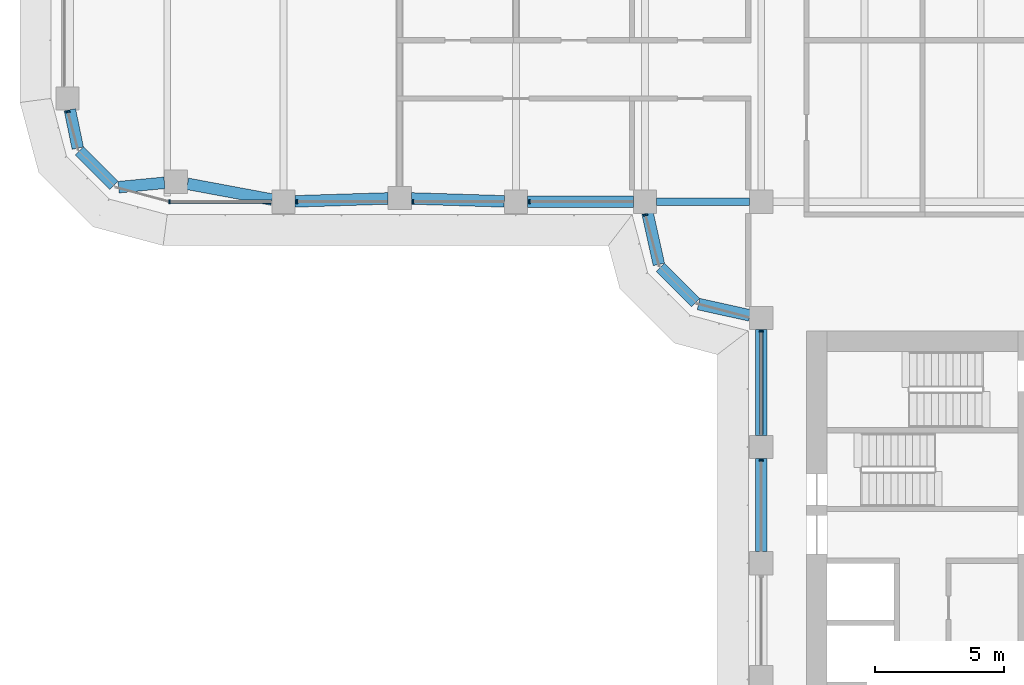
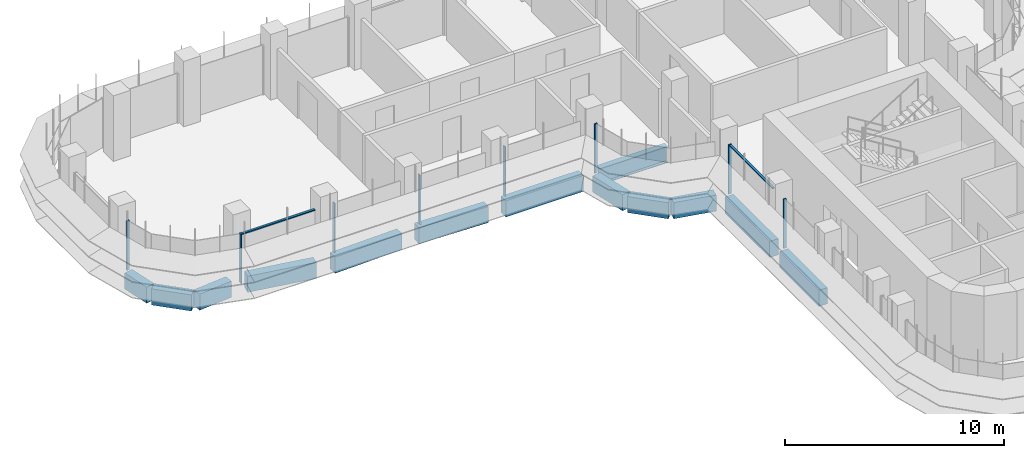
# One storey, part 3 of 22: 13 beams, 10 members, 4 elements without a shape of their own.
"""IFC4 building model written with IfcOpenShell, lengths in metres."""

from ifc_helpers import new_model, si_unit, direction, frame, origin, origin_2d, place, context, subcontext, project, spatial, polyline, rectangle, i_section, outline, extrude, source, transform, mapped, material, material_profile, profile_set, type_object, element, aggregate, save


model = new_model("IFC4")

# Units and contexts
model_context = context("Model", 3, precision=1e-05, world=origin(), true_north=direction((0.0, 1.0)))
body_context = subcontext(model_context, "Body", "Model", "MODEL_VIEW")
ifc_project = project(units=[si_unit("LENGTHUNIT", "METRE"), si_unit("AREAUNIT", "SQUARE_METRE"), si_unit("VOLUMEUNIT", "CUBIC_METRE"), si_unit("PLANEANGLEUNIT", "RADIAN"), si_unit("MASSUNIT", "GRAM", prefix="KILO")], contexts=[model_context])

# Site, building, storey
site_placement = place(None, origin())
site = spatial("IfcSite", under=ifc_project, at=site_placement, CompositionType="ELEMENT")
building_placement = place(site_placement, origin())
building = spatial("IfcBuilding", under=site, at=building_placement, Name="Zarbagh Exchange Tower", CompositionType="ELEMENT")
storey_placement = place(building_placement, frame((0.0, 0.0, 109.39990234375)))
storey = spatial("IfcBuildingStorey", under=building, at=storey_placement, Name="L25", CompositionType="ELEMENT", Elevation=109.39990234375)

# Beams
ifc_material_1 = material(Name="Steel ASTM A992 Gr 50", Category="steel")
ifc_material_profile_1 = material_profile(ifc_material_1, i_section(OverallWidth=0.3046875, OverallDepth=0.911865234375, WebThickness=0.015869140625, FlangeThickness=0.02392578125, at=origin_2d()), Name="W36X150")
ifc_profile_set_1 = profile_set([ifc_material_profile_1], Name="Steel ASTM A992 Gr 50")
beam_type_1 = type_object("IfcBeamType", Name="Floor girder W36X150", PredefinedType="BEAM", material=ifc_profile_set_1)
beam_1_placement = place(storey_placement, frame((-10.300048828125, -6.25, -0.605712890625), z_axis=(1.0, 0.0, 0.0), x_axis=(0.0, 1.0, 0.0)))
element("IfcBeam", 1, at=beam_1_placement, inside=storey, type_object=beam_type_1, Name="Steel girder", PredefinedType="BEAM", context=body_context, shape_type="SweptSolid", body=[
    extrude(i_section(OverallWidth=0.3046875, OverallDepth=0.911865234375, WebThickness=0.015869140625, FlangeThickness=0.02392578125, at=origin_2d()), origin(), (0.0, 0.0, 1.0), 3.60009765625),
])
ifc_material_2 = material(Name="Concrete C60/75", Category="concrete")
ifc_material_profile_2 = material_profile(ifc_material_2, rectangle(XDim=0.449951171875, YDim=0.89990234375, at=origin_2d()), Name="RC spandrel beam 450 x 900 C60/75")
ifc_profile_set_2 = profile_set([ifc_material_profile_2], Name="Concrete C60/75")
beam_type_2 = type_object("IfcBeamType", Name="RC spandrel beam 450 x 900 C60/75", PredefinedType="SPANDREL", material=ifc_profile_set_2)
beam_2_placement = place(storey_placement, frame((-6.25, -19.800048828125, -0.599853515625), z_axis=(0.0, 1.0, 0.0), x_axis=(-1.0, 0.0, 0.0)))
element("IfcBeam", 2, at=beam_2_placement, inside=storey, type_object=beam_type_2, Name="RC spandrel beam", PredefinedType="SPANDREL", context=body_context, shape_type="SweptSolid", body=[
    extrude(rectangle(XDim=0.449951171875, YDim=0.89990234375, at=origin_2d()), origin(), (0.0, 0.0, 1.0), 3.60009765625),
])
beam_3_placement = place(storey_placement, frame((-6.25, -15.300048828125, -0.599853515625), z_axis=(0.0, 1.0, 0.0), x_axis=(-1.0, 0.0, 0.0)))
element("IfcBeam", 3, at=beam_3_placement, inside=storey, type_object=beam_type_2, Name="RC spandrel beam", PredefinedType="SPANDREL", context=body_context, shape_type="SweptSolid", body=[
    extrude(rectangle(XDim=0.449951171875, YDim=0.89990234375, at=origin_2d()), origin(), (0.0, 0.0, 1.0), 4.10009765625),
])
beam_4_placement = place(storey_placement, frame((-6.689453125, -10.65283203125, -0.599853515625), z_axis=(-0.976367325525, 0.216117666208, 0.0), x_axis=(-0.216117666208, -0.976367325525, 0.0)))
element("IfcBeam", 4, at=beam_4_placement, inside=storey, type_object=beam_type_2, Name="RC spandrel beam", PredefinedType="SPANDREL", context=body_context, shape_type="SweptSolid", body=[
    extrude(rectangle(XDim=0.449951171875, YDim=0.89990234375, at=origin_2d()), origin(), (0.0, 0.0, 1.0), 2.03564453125),
])
beam_5_placement = place(storey_placement, frame((-8.78759765625, -10.15234375, -0.599853515625), z_axis=(-0.707106781187, 0.707106781187, 0.0), x_axis=(-0.707106781187, -0.707106781187, 0.0)))
element("IfcBeam", 5, at=beam_5_placement, inside=storey, type_object=beam_type_2, Name="RC spandrel beam", PredefinedType="SPANDREL", context=body_context, shape_type="SweptSolid", body=[
    extrude(rectangle(XDim=0.449951171875, YDim=0.89990234375, at=origin_2d()), origin(), (0.0, 0.0, 1.0), 1.929931640625),
])
beam_6_placement = place(storey_placement, frame((-10.212890625, -8.677001953125, -0.599853515625), z_axis=(-0.216117666208, 0.976367325525, 0.0), x_axis=(-0.976367325525, -0.216117666208, 0.0)))
element("IfcBeam", 6, at=beam_6_placement, inside=storey, type_object=beam_type_2, Name="RC spandrel beam", PredefinedType="SPANDREL", context=body_context, shape_type="SweptSolid", body=[
    extrude(rectangle(XDim=0.449951171875, YDim=0.89990234375, at=origin_2d()), origin(), (0.0, 0.0, 1.0), 2.03564453125),
])
beam_7_placement = place(storey_placement, frame((-11.199951171875, -6.25, -0.599853515625), z_axis=(-1.0, 0.0, 0.0), x_axis=(0.0, -1.0, 0.0)))
element("IfcBeam", 7, at=beam_7_placement, inside=storey, type_object=beam_type_2, Name="RC spandrel beam", PredefinedType="SPANDREL", context=body_context, shape_type="SweptSolid", body=[
    extrude(rectangle(XDim=0.449951171875, YDim=0.89990234375, at=origin_2d()), origin(), (0.0, 0.0, 1.0), 4.10009765625),
])
for number, where, z_axis, x_axis, name in (
    (8, (-16.19970703125, -6.236083984375, -0.599853515625), (-0.999516035224, 0.031107801747, 0.0), (-0.031107801747, -0.999516035224, 0.0), "RC spandrel beam"),
    (9, (-20.69970703125, -6.1240234375, -0.599853515625), (-0.999516035224, -0.031107801747, 0.0), (0.031107801747, -0.999516035224, 0.0), "RC spandrel beam"),
):
    element("IfcBeam", number, at=place(storey_placement, frame(where, z_axis=z_axis, x_axis=x_axis)), inside=storey, type_object=beam_type_2, Name=name, PredefinedType="SPANDREL", context=body_context, shape_type="SweptSolid", body=[
        extrude(rectangle(XDim=0.449951171875, YDim=0.89990234375, at=origin_2d()), origin(), (0.0, 0.0, 1.0), 3.602294921875),
    ])
beam_8_placement = place(storey_placement, frame((-25.1923828125, -6.16748046875, -0.599853515625), z_axis=(-0.98308156541, 0.183168326277, 0.0), x_axis=(-0.183168326277, -0.98308156541, 0.0)))
element("IfcBeam", 10, at=beam_8_placement, inside=storey, type_object=beam_type_2, Name="RC spandrel beam", PredefinedType="SPANDREL", context=body_context, shape_type="SweptSolid", body=[
    extrude(rectangle(XDim=0.449951171875, YDim=0.89990234375, at=origin_2d()), origin(), (0.0, 0.0, 1.0), 3.32958984375),
])
beam_9_placement = place(storey_placement, frame((-29.35595703125, -5.51806640625, -0.599853515625), z_axis=(-0.995433267802, -0.095459988228, 0.0), x_axis=(0.095459988228, -0.995433267802, 0.0)))
element("IfcBeam", 11, at=beam_9_placement, inside=storey, type_object=beam_type_2, Name="RC spandrel beam", PredefinedType="SPANDREL", context=body_context, shape_type="SweptSolid", body=[
    extrude(rectangle(XDim=0.449951171875, YDim=0.89990234375, at=origin_2d()), origin(), (0.0, 0.0, 1.0), 1.78759765625),
])
beam_10_placement = place(storey_placement, frame((-31.316162109375, -5.623779296875, -0.599853515625), z_axis=(-0.707106781187, 0.707106781187, 0.0), x_axis=(-0.707106781187, -0.707106781187, 0.0)))
element("IfcBeam", 12, at=beam_10_placement, inside=storey, type_object=beam_type_2, Name="RC spandrel beam", PredefinedType="SPANDREL", context=body_context, shape_type="SweptSolid", body=[
    extrude(rectangle(XDim=0.449951171875, YDim=0.89990234375, at=origin_2d()), origin(), (0.0, 0.0, 1.0), 1.887939453125),
])
beam_11_placement = place(storey_placement, frame((-32.71240234375, -4.17529296875, -0.599853515625), z_axis=(-0.202275417995, 0.979328675816, 0.0), x_axis=(-0.979328675816, -0.202275417995, 0.0)))
element("IfcBeam", 13, at=beam_11_placement, inside=storey, type_object=beam_type_2, Name="RC spandrel beam", PredefinedType="SPANDREL", context=body_context, shape_type="SweptSolid", body=[
    extrude(rectangle(XDim=0.449951171875, YDim=0.89990234375, at=origin_2d()), origin(), (0.0, 0.0, 1.0), 1.515869140625),
])

# Curtain wall, member
ifc_material_3 = material(Name="Anodised aluminium frame and glazing", Category="aluminium")
curtain_wall_type = type_object("IfcCurtainWallType", Name="CWA Ribbon glazing, lower zones", PredefinedType="NOTDEFINED", material=ifc_material_3)
curtain_wall_1_placement = place(storey_placement, origin())
curtain_wall_1 = element("IfcCurtainWall", 14, at=curtain_wall_1_placement, inside=storey, type_object=curtain_wall_type, Name="CWA37 curtain wall", PredefinedType="NOTDEFINED")
ifc_material_4 = material(Name="Anodised aluminium frame", Category="aluminium")
member_type_1 = type_object("IfcMemberType", Name="MUA Mullion, anodised aluminium frame", PredefinedType="MULLION", material=ifc_material_4)
shared_shape_1 = source(origin(), body_context, "Body", "SweptSolid", [
    extrude(outline(polyline([(0.0, -0.080078125), (0.06005859375, -0.080078125), (0.06005859375, 0.080078125), (0.0, 0.080078125), (0.0, -0.080078125)])), origin(), (0.0, 0.0, 1.0), 2.75),
])
placement = place(storey_placement, origin())
member_1 = element("IfcMember", 15, at=placement, type_object=member_type_1, Name="CWA37 mullion 1.1", PredefinedType="MULLION", context=body_context, shape_type="MappedRepresentation", body=[
    mapped(shared_shape_1, transform((-33.10107421875, -2.739990234375, 0.0), x_axis=(0.258824779902, -0.965924289636, 0.0), y_axis=(0.965924289636, 0.258824779902, 0.0), z_axis=(0.0, 0.0, 1.0))),
])
aggregate(curtain_wall_1, [member_1])

# Curtain wall, members
curtain_wall_2_placement = place(storey_placement, origin())
curtain_wall_2 = element("IfcCurtainWall", 16, at=curtain_wall_2_placement, inside=storey, type_object=curtain_wall_type, Name="CWA40 curtain wall", PredefinedType="NOTDEFINED")
member_2 = element("IfcMember", 17, at=placement, type_object=member_type_1, Name="CWA40 mullion 1.1", PredefinedType="MULLION", context=body_context, shape_type="MappedRepresentation", body=[
    mapped(shared_shape_1, transform((-29.18408203125, -6.25, 0.0), x_axis=(1.0, 0.0, 0.0), y_axis=(0.0, 1.0, 0.0), z_axis=(0.0, 0.0, 1.0))),
])
member_3 = element("IfcMember", 18, at=placement, type_object=member_type_1, Name="CWA40 mullion 2.1", PredefinedType="MULLION", context=body_context, shape_type="MappedRepresentation", body=[
    mapped(shared_shape_1, transform((-24.260009765625, -6.25, 0.0), x_axis=(1.0, 0.0, 0.0), y_axis=(0.0, 1.0, 0.0), z_axis=(0.0, 0.0, 1.0))),
])
member_4 = element("IfcMember", 19, at=placement, type_object=member_type_1, Name="CWA40 mullion 3.1", PredefinedType="MULLION", context=body_context, shape_type="MappedRepresentation", body=[
    mapped(shared_shape_1, transform((-19.760009765625, -6.25, 0.0), x_axis=(1.0, 0.0, 0.0), y_axis=(0.0, 1.0, 0.0), z_axis=(0.0, 0.0, 1.0))),
])
member_5 = element("IfcMember", 20, at=placement, type_object=member_type_1, Name="CWA40 mullion 4.1", PredefinedType="MULLION", context=body_context, shape_type="MappedRepresentation", body=[
    mapped(shared_shape_1, transform((-15.260009765625, -6.25, 0.0), x_axis=(1.0, 0.0, 0.0), y_axis=(0.0, 1.0, 0.0), z_axis=(0.0, 0.0, 1.0))),
])

# Curtain wall, member
curtain_wall_3_placement = place(storey_placement, origin())
curtain_wall_3 = element("IfcCurtainWall", 21, at=curtain_wall_3_placement, inside=storey, type_object=curtain_wall_type, Name="CWA41 curtain wall", PredefinedType="NOTDEFINED")
member_6 = element("IfcMember", 22, at=placement, type_object=member_type_1, Name="CWA41 mullion 1.1", PredefinedType="MULLION", context=body_context, shape_type="MappedRepresentation", body=[
    mapped(shared_shape_1, transform((-10.735107421875, -6.739990234375, 0.0), x_axis=(0.258824779902, -0.965924289636, 0.0), y_axis=(0.965924289636, 0.258824779902, 0.0), z_axis=(0.0, 0.0, 1.0))),
])
aggregate(curtain_wall_3, [member_6])

# Curtain wall, members
curtain_wall_4_placement = place(storey_placement, origin())
curtain_wall_4 = element("IfcCurtainWall", 23, at=curtain_wall_4_placement, inside=storey, type_object=curtain_wall_type, Name="CWA44 curtain wall", PredefinedType="NOTDEFINED")
member_7 = element("IfcMember", 24, at=placement, type_object=member_type_1, Name="CWA44 mullion 1.1", PredefinedType="MULLION", context=body_context, shape_type="MappedRepresentation", body=[
    mapped(shared_shape_1, transform((-6.25, -11.239990234375, 0.0), x_axis=(0.0, -1.0, 0.0), y_axis=(1.0, 0.0, 0.0), z_axis=(0.0, 0.0, 1.0))),
])
member_8 = element("IfcMember", 25, at=placement, type_object=member_type_1, Name="CWA44 mullion 2.1", PredefinedType="MULLION", context=body_context, shape_type="MappedRepresentation", body=[
    mapped(shared_shape_1, transform((-6.25, -16.239990234375, 0.0), x_axis=(0.0, -1.0, 0.0), y_axis=(1.0, 0.0, 0.0), z_axis=(0.0, 0.0, 1.0))),
])
member_type_2 = type_object("IfcMemberType", Name="TRA Transom, anodised aluminium frame", PredefinedType="USERDEFINED", material=ifc_material_4)
shared_shape_2 = source(origin(), body_context, "Body", "SweptSolid", [
    extrude(outline(polyline([(-0.06005859375, -0.06005859375), (0.0, -0.06005859375), (0.0, 0.06005859375), (-0.06005859375, 0.06005859375), (-0.06005859375, -0.06005859375)])), origin(), (0.0, 0.0, 1.0), 3.9599609375),
])
member_9 = element("IfcMember", 26, at=placement, type_object=member_type_2, Name="CWA44 transom 1.1", ObjectType="TRANSOM", PredefinedType="USERDEFINED", context=body_context, shape_type="MappedRepresentation", body=[
    mapped(shared_shape_2, transform((-6.25, -11.300048828125, 2.75), x_axis=(0.0, 0.0, 1.0), y_axis=(-1.0, 0.0, 0.0), z_axis=(0.0, -1.0, 0.0))),
])
aggregate(curtain_wall_4, [member_7, member_9, member_8])

# Member
shared_shape_3 = source(origin(), body_context, "Body", "SweptSolid", [
    extrude(outline(polyline([(-0.06005859375, -0.06005859375), (0.0, -0.06005859375), (0.0, 0.06005859375), (-0.06005859375, 0.06005859375), (-0.06005859375, -0.06005859375)])), origin(), (0.0, 0.0, 1.0), 3.88427734375),
])
member_10 = element("IfcMember", 27, at=placement, type_object=member_type_2, Name="CWA40 transom 1.1", ObjectType="TRANSOM", PredefinedType="USERDEFINED", context=body_context, shape_type="MappedRepresentation", body=[
    mapped(shared_shape_3, transform((-29.124267578125, -6.25, 2.75), x_axis=(0.0, 0.0, 1.0), y_axis=(0.0, -1.0, 0.0), z_axis=(1.0, 0.0, 0.0))),
])

aggregate(curtain_wall_2, [member_2, member_10, member_3, member_4, member_5])

save(model, "model.ifc")
